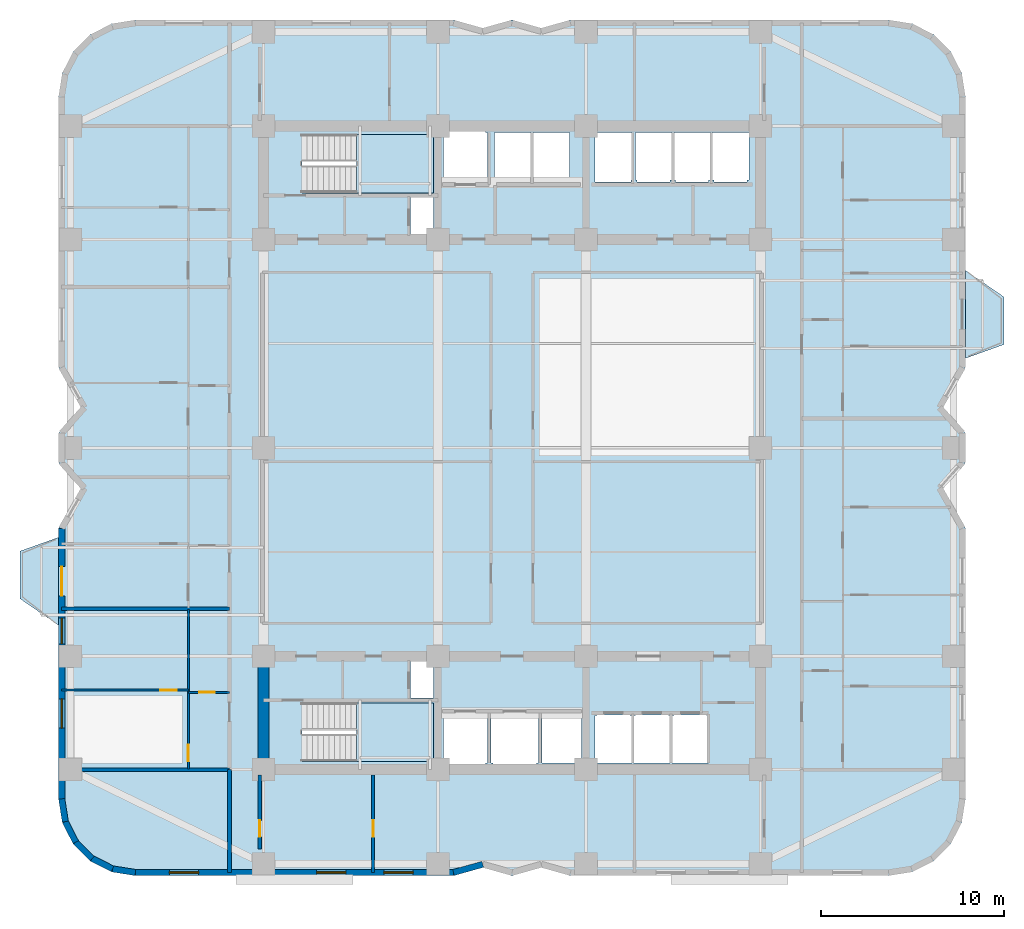
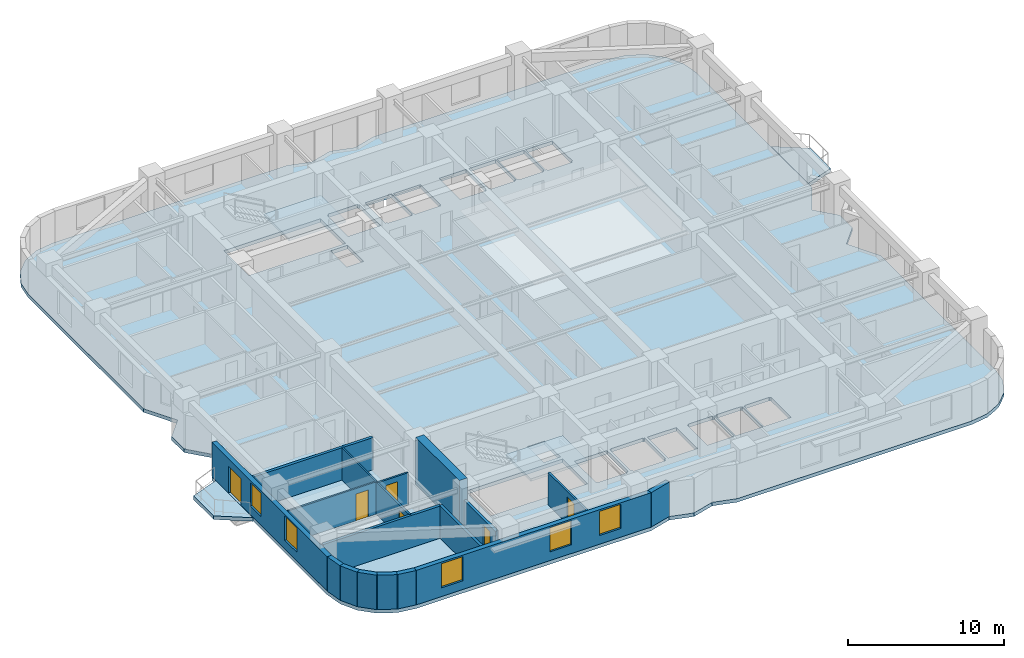
# One storey, part 2 of 9: 17 walls, 6 doors, 5 slabs, 5 windows, 11 openings, 2 elements without a shape of their own.
"""IFC4 building model written with IfcOpenShell, lengths in metres."""

from ifc_helpers import new_model, si_unit, direction, frame, frame_2d, origin, place, context, subcontext, project, spatial, polyline, rectangle, outline, extrude, material, layer, layer_set, type_object, element, fill, aggregate, save


model = new_model("IFC4")

# Units and contexts
model_context = context("Model", 3, precision=1e-05, world=origin(), true_north=direction((0.0, 1.0)))
body_context = subcontext(model_context, "Body", "Model", "MODEL_VIEW")
ifc_project = project(units=[si_unit("LENGTHUNIT", "METRE"), si_unit("AREAUNIT", "SQUARE_METRE"), si_unit("VOLUMEUNIT", "CUBIC_METRE"), si_unit("PLANEANGLEUNIT", "RADIAN"), si_unit("MASSUNIT", "GRAM", prefix="KILO")], contexts=[model_context])

# Site, building, storey
site_placement = place(None, origin())
site = spatial("IfcSite", under=ifc_project, at=site_placement, CompositionType="ELEMENT")
building_placement = place(site_placement, origin())
building = spatial("IfcBuilding", under=site, at=building_placement, Name="Svetorya Sky Lyceum", CompositionType="ELEMENT")
storey_placement = place(building_placement, frame((0.0, 0.0, 47.300048828125)))
storey = spatial("IfcBuildingStorey", under=building, at=storey_placement, Name="L11", CompositionType="ELEMENT", Elevation=47.300048828125)

# Slabs
ifc_material_1 = material(Name="Concrete C40/50", Category="concrete")
ifc_layer_1 = layer(ifc_material_1, 0.280029296875)
ifc_layer_set_1 = layer_set([ifc_layer_1], Name="Concrete C40/50")
slab_type_1 = type_object("IfcSlabType", Name="SL-BAL-280", PredefinedType="FLOOR", material=ifc_layer_set_1)
slab_1_placement = place(storey_placement, frame((0.0, 0.0, -0.280029296875)))
element("IfcSlab", 1, at=slab_1_placement, inside=storey, type_object=slab_type_1, Name="L11 Chamfered Loggia Balcony BAL-W1", PredefinedType="FLOOR", context=body_context, shape_type="SweptSolid", body=[
    extrude(outline(polyline([(14.389892578125, 18.5), (14.389892578125, 23.300048828125), (12.2900390625, 22.550048828125), (12.2900390625, 19.949951171875), (14.389892578125, 18.5)])), origin(), (0.0, 0.0, 1.0), 0.280029296875),
])
slab_2_placement = place(storey_placement, frame((0.0, 0.0, -0.280029296875)))
element("IfcSlab", 2, at=slab_2_placement, inside=storey, type_object=slab_type_1, Name="L11 Chamfered Loggia Balcony BAL-E1", PredefinedType="FLOOR", context=body_context, shape_type="SweptSolid", body=[
    extrude(outline(polyline([(64.010009765625, 33.10009765625), (66.110107421875, 33.85009765625), (66.110107421875, 36.449951171875), (64.010009765625, 37.89990234375), (64.010009765625, 33.10009765625)])), origin(), (0.0, 0.0, 1.0), 0.280029296875),
])

# Stair, slab
stair_type_1 = type_object("IfcStairType", Name="STR-ST-S", PredefinedType="HALF_TURN_STAIR", material=ifc_material_1)
stair_1_placement = place(storey_placement, origin())
stair_1 = element("IfcStair", 3, at=stair_1_placement, inside=storey, type_object=stair_type_1, Name="L11 South Core Smoke-Free Exit Stair N2", PredefinedType="HALF_TURN_STAIR")
ifc_layer_2 = layer(ifc_material_1, 0.199951171875)
ifc_layer_set_2 = layer_set([ifc_layer_2], Name="Concrete C40/50")
slab_type_2 = type_object("IfcSlabType", Name="SL-STR-LAND-200", PredefinedType="LANDING", material=ifc_layer_set_2)
slab_3_placement = place(storey_placement, frame((0.0, 0.0, 1.64990234375)))
slab_3 = element("IfcSlab", 4, at=slab_3_placement, type_object=slab_type_2, Name="ST-S landing 1", PredefinedType="LANDING", context=body_context, shape_type="SweptSolid", body=[
    extrude(outline(polyline([(30.699951171875, 11.050048828125), (34.89990234375, 11.050048828125), (34.89990234375, 14.25), (30.699951171875, 14.25), (30.699951171875, 11.050048828125)])), origin(), (0.0, 0.0, 1.0), 0.199951171875),
])
aggregate(stair_1, [slab_3])

stair_type_2 = type_object("IfcStairType", Name="STR-ST-N", PredefinedType="HALF_TURN_STAIR", material=ifc_material_1)
stair_2_placement = place(storey_placement, origin())
stair_2 = element("IfcStair", 5, at=stair_2_placement, inside=storey, type_object=stair_type_2, Name="L11 North Core Smoke-Free Exit Stair N3", PredefinedType="HALF_TURN_STAIR")
slab_4_placement = place(storey_placement, frame((0.0, 0.0, 1.64990234375)))
slab_4 = element("IfcSlab", 6, at=slab_4_placement, type_object=slab_type_2, Name="ST-N landing 1", PredefinedType="LANDING", context=body_context, shape_type="SweptSolid", body=[
    extrude(outline(polyline([(30.699951171875, 42.14990234375), (34.89990234375, 42.14990234375), (34.89990234375, 45.35009765625), (30.699951171875, 45.35009765625), (30.699951171875, 42.14990234375)])), origin(), (0.0, 0.0, 1.0), 0.199951171875),
])
aggregate(stair_2, [slab_4])

# Slab
ifc_material_2 = material(Name="Concrete C50/60", Category="concrete")
ifc_layer_3 = layer(ifc_material_2, 0.280029296875)
ifc_layer_set_3 = layer_set([ifc_layer_3], Name="Concrete C50/60")
slab_type_3 = type_object("IfcSlabType", Name="SL-TWR-280", PredefinedType="FLOOR", material=ifc_layer_set_3)
slab_5_placement = place(storey_placement, frame((0.0, 0.0, -0.280029296875)))
element("IfcSlab", 7, at=slab_5_placement, inside=storey, type_object=slab_type_3, Name="L11 Structural Floor Slab", PredefinedType="FLOOR", context=body_context, shape_type="SweptSolid", body=[
    extrude(outline(polyline([(14.39990234375, 9.0), (14.605712890625, 7.7021484375), (15.2021484375, 6.53125), (16.13134765625, 5.60205078125), (17.302001953125, 5.005615234375), (18.60009765625, 4.800048828125), (36.0, 4.800048828125), (37.60009765625, 5.25), (39.199951171875, 4.800048828125), (40.800048828125, 5.25), (42.39990234375, 4.800048828125), (59.800048828125, 4.800048828125), (61.097900390625, 5.005615234375), (62.268798828125, 5.60205078125), (63.197998046875, 6.53125), (63.79443359375, 7.7021484375), (64.0, 9.0), (64.0, 23.800048828125), (62.75, 26.0), (64.0, 27.39990234375), (64.0, 29.0), (62.75, 30.39990234375), (64.0, 32.60009765625), (64.0, 47.39990234375), (63.79443359375, 48.697998046875), (63.197998046875, 49.86865234375), (62.268798828125, 50.7978515625), (61.097900390625, 51.394287109375), (59.800048828125, 51.60009765625), (42.39990234375, 51.60009765625), (40.800048828125, 51.14990234375), (39.199951171875, 51.60009765625), (37.60009765625, 51.14990234375), (36.0, 51.60009765625), (18.60009765625, 51.60009765625), (17.302001953125, 51.394287109375), (16.13134765625, 50.7978515625), (15.2021484375, 49.86865234375), (14.605712890625, 48.697998046875), (14.39990234375, 47.39990234375), (14.39990234375, 32.60009765625), (15.64990234375, 30.39990234375), (14.39990234375, 29.0), (14.39990234375, 27.39990234375), (15.64990234375, 26.0), (14.39990234375, 23.800048828125), (14.39990234375, 9.0)]), holes=[polyline([(35.550048828125, 13.64990234375), (37.75, 13.64990234375), (37.85009765625, 13.64990234375), (37.85009765625, 10.949951171875), (37.75, 10.949951171875), (37.75, 10.85009765625), (35.550048828125, 10.85009765625), (35.550048828125, 10.949951171875), (35.449951171875, 10.949951171875), (35.449951171875, 13.64990234375), (35.550048828125, 13.64990234375)]), polyline([(40.64990234375, 10.949951171875), (40.550048828125, 10.949951171875), (40.550048828125, 10.800048828125), (38.14990234375, 10.800048828125), (38.14990234375, 10.949951171875), (38.050048828125, 10.949951171875), (38.050048828125, 13.64990234375), (38.14990234375, 13.64990234375), (38.14990234375, 13.699951171875), (40.550048828125, 13.699951171875), (40.550048828125, 13.64990234375), (40.64990234375, 13.64990234375), (40.64990234375, 10.949951171875)]), polyline([(40.85009765625, 13.64990234375), (43.0, 13.64990234375), (43.0, 10.949951171875), (40.85009765625, 10.949951171875), (40.85009765625, 13.64990234375)]), polyline([(27.719970703125, 14.25), (34.89990234375, 14.25), (34.89990234375, 11.050048828125), (27.719970703125, 11.050048828125), (27.719970703125, 14.25)]), polyline([(33.64990234375, 16.580078125), (34.89990234375, 16.580078125), (34.89990234375, 14.52001953125), (33.64990234375, 14.52001953125), (33.64990234375, 16.580078125)]), polyline([(33.64990234375, 39.820068359375), (33.64990234375, 41.89990234375), (34.89990234375, 41.89990234375), (34.89990234375, 39.820068359375), (33.64990234375, 39.820068359375)]), polyline([(27.719970703125, 45.35009765625), (34.89990234375, 45.35009765625), (34.89990234375, 42.14990234375), (27.719970703125, 42.14990234375), (27.719970703125, 45.35009765625)]), polyline([(35.550048828125, 42.75), (35.449951171875, 42.75), (35.449951171875, 45.449951171875), (35.550048828125, 45.449951171875), (35.550048828125, 45.550048828125), (37.75, 45.550048828125), (37.75, 45.449951171875), (37.85009765625, 45.449951171875), (37.85009765625, 42.75), (37.75, 42.75), (35.550048828125, 42.75)]), polyline([(40.199951171875, 42.85009765625), (40.199951171875, 42.75), (38.39990234375, 42.75), (38.39990234375, 42.85009765625), (38.25, 42.85009765625), (38.25, 45.449951171875), (38.39990234375, 45.449951171875), (40.199951171875, 45.449951171875), (40.25, 45.449951171875), (40.25, 42.85009765625), (40.199951171875, 42.85009765625)]), polyline([(40.39990234375, 42.85009765625), (40.35009765625, 42.85009765625), (40.35009765625, 45.449951171875), (40.39990234375, 45.449951171875), (42.300048828125, 45.449951171875), (42.35009765625, 45.449951171875), (42.35009765625, 42.85009765625), (42.300048828125, 42.85009765625), (42.300048828125, 42.75), (40.39990234375, 42.75), (40.39990234375, 42.85009765625)]), polyline([(43.85009765625, 10.949951171875), (43.75, 10.949951171875), (43.75, 13.550048828125), (43.85009765625, 13.550048828125), (43.85009765625, 13.60009765625), (45.64990234375, 13.60009765625), (45.64990234375, 13.550048828125), (45.75, 13.550048828125), (45.75, 10.949951171875), (45.64990234375, 10.949951171875), (43.85009765625, 10.949951171875)]), polyline([(45.949951171875, 10.949951171875), (45.85009765625, 10.949951171875), (45.85009765625, 13.550048828125), (45.949951171875, 13.550048828125), (45.949951171875, 13.60009765625), (47.75, 13.60009765625), (47.75, 13.550048828125), (47.85009765625, 13.550048828125), (47.85009765625, 10.949951171875), (47.75, 10.949951171875), (45.949951171875, 10.949951171875)]), polyline([(49.85009765625, 13.550048828125), (49.949951171875, 13.550048828125), (49.949951171875, 10.949951171875), (49.85009765625, 10.949951171875), (48.050048828125, 10.949951171875), (47.949951171875, 10.949951171875), (47.949951171875, 13.550048828125), (48.050048828125, 13.550048828125), (48.050048828125, 13.60009765625), (49.85009765625, 13.60009765625), (49.85009765625, 13.550048828125)]), polyline([(43.75, 42.85009765625), (43.75, 45.449951171875), (45.699951171875, 45.449951171875), (45.75, 45.449951171875), (45.75, 42.85009765625), (45.699951171875, 42.85009765625), (45.699951171875, 42.75), (43.75, 42.75), (43.75, 42.85009765625)]), polyline([(46.050048828125, 42.85009765625), (45.949951171875, 42.85009765625), (45.949951171875, 45.449951171875), (46.050048828125, 45.449951171875), (47.85009765625, 45.449951171875), (47.949951171875, 45.449951171875), (47.949951171875, 42.85009765625), (47.85009765625, 42.85009765625), (47.85009765625, 42.75), (46.050048828125, 42.75), (46.050048828125, 42.85009765625)]), polyline([(48.14990234375, 42.85009765625), (48.050048828125, 42.85009765625), (48.050048828125, 45.449951171875), (48.14990234375, 45.449951171875), (49.949951171875, 45.449951171875), (50.050048828125, 45.449951171875), (50.050048828125, 42.85009765625), (49.949951171875, 42.85009765625), (49.949951171875, 42.75), (48.14990234375, 42.75), (48.14990234375, 42.85009765625)]), polyline([(50.25, 42.85009765625), (50.14990234375, 42.85009765625), (50.14990234375, 45.449951171875), (50.25, 45.449951171875), (52.050048828125, 45.449951171875), (52.14990234375, 45.449951171875), (52.14990234375, 42.85009765625), (52.050048828125, 42.85009765625), (52.050048828125, 42.75), (50.25, 42.75), (50.25, 42.85009765625)])]), origin(), (0.0, 0.0, 1.0), 0.280029296875),
])

# Walls
ifc_material_3 = material(Name="Concrete C60/75", Category="concrete")
ifc_layer_4 = layer(ifc_material_3, 0.60009765625)
ifc_layer_set_4 = layer_set([ifc_layer_4], Name="Concrete C60/75")
wall_type_1 = type_object("IfcWallType", Name="WL-CORE-600", PredefinedType="SHEAR", material=ifc_layer_set_4)
wall_1_placement = place(storey_placement, frame((25.60009765625, 10.89990234375, 0.0), z_axis=(0.0, 0.0, 1.0), x_axis=(0.0, 1.0, 0.0)))
element("IfcWall", 8, at=wall_1_placement, inside=storey, type_object=wall_type_1, Name="L11 SC West Core Shear Wall", PredefinedType="SHEAR", context=body_context, shape_type="SweptSolid", body=[
    extrude(rectangle(XDim=5.60009765625, YDim=0.60009765625, at=frame_2d((2.800048828125, 0.0))), origin(), (0.0, 0.0, 1.0), 3.699951171875),
])
ifc_material_4 = material(Name="Putilovo limestone rainscreen on autoclaved cellular masonry", Category="masonry")
ifc_layer_5 = layer(ifc_material_4, 0.340087890625)
ifc_layer_set_5 = layer_set([ifc_layer_5], Name="Putilovo limestone rainscreen on autoclaved cellular masonry")
wall_type_2 = type_object("IfcWallType", Name="WL-EXT-340", PredefinedType="SOLIDWALL", material=ifc_layer_set_5)
wall_2_placement = place(storey_placement, frame((14.570068359375, 9.0, 0.0), z_axis=(0.0, 0.0, 1.0), x_axis=(0.156260864002, -0.98771582066, 0.0)))
element("IfcWall", 9, at=wall_2_placement, inside=storey, type_object=wall_type_2, Name="L11 Limestone Exterior Wall 1M", PredefinedType="SOLIDWALL", context=body_context, shape_type="SweptSolid", body=[
    extrude(rectangle(XDim=1.2607421875, YDim=0.340087890625, at=frame_2d((0.63037109375, 0.0))), origin(), (0.0, 0.0, 1.0), 2.699951171875),
])
wall_3_placement = place(storey_placement, frame((14.76708984375, 7.754638671875, 0.0), z_axis=(0.0, 0.0, 1.0), x_axis=(0.454015689056, -0.890993689142, 0.0)))
element("IfcWall", 10, at=wall_3_placement, inside=storey, type_object=wall_type_2, Name="L11 Limestone Exterior Wall 2M", PredefinedType="SOLIDWALL", context=body_context, shape_type="SweptSolid", body=[
    extrude(rectangle(XDim=1.260986328125, YDim=0.340087890625, at=frame_2d((0.63037109375, 0.0))), origin(), (0.0, 0.0, 1.0), 2.699951171875),
])
wall_4_placement = place(storey_placement, frame((15.339599609375, 6.631103515625, 0.0), z_axis=(0.0, 0.0, 1.0), x_axis=(0.707203598708, -0.707009950407, 0.0)))
element("IfcWall", 11, at=wall_4_placement, inside=storey, type_object=wall_type_2, Name="L11 Limestone Exterior Wall 3M", PredefinedType="SOLIDWALL", context=body_context, shape_type="SweptSolid", body=[
    extrude(rectangle(XDim=1.2607421875, YDim=0.340087890625, at=frame_2d((0.63037109375, 0.0))), origin(), (0.0, 0.0, 1.0), 2.699951171875),
])
for number, where, z_axis, x_axis, name in (
    (12, (16.231201171875, 5.73974609375, 0.0), (0.0, 0.0, 1.0), (0.890993689142, -0.454015689056, 0.0), "L11 Limestone Exterior Wall 4M"),
    (13, (17.354736328125, 5.167236328125, 0.0), (0.0, 0.0, 1.0), (0.987685918112, -0.15644975923, 0.0), "L11 Limestone Exterior Wall 5M"),
):
    element("IfcWall", number, at=place(storey_placement, frame(where, z_axis=z_axis, x_axis=x_axis)), inside=storey, type_object=wall_type_2, Name=name, PredefinedType="SOLIDWALL", context=body_context, shape_type="SweptSolid", body=[
        extrude(rectangle(XDim=1.260986328125, YDim=0.340087890625, at=frame_2d((0.63037109375, 0.0))), origin(), (0.0, 0.0, 1.0), 2.699951171875),
    ])

# Wall, openings, windows
wall_5_placement = place(storey_placement, frame((18.60009765625, 4.969970703125, 0.0), z_axis=(0.0, 0.0, 1.0), x_axis=(1.0, 0.0, 0.0)))
wall_5 = element("IfcWall", 14, at=wall_5_placement, inside=storey, type_object=wall_type_2, Name="L11 Limestone Exterior Wall 6M", PredefinedType="SOLIDWALL", context=body_context, shape_type="SweptSolid", body=[
    extrude(rectangle(XDim=17.39990234375, YDim=0.340087890625, at=frame_2d((8.699951171875, 0.0))), origin(), (0.0, 0.0, 1.0), 2.699951171875),
])
opening_1_placement = place(wall_5_placement, frame((1.862548828125, 0.0, 0.679931640625)))
opening_1 = element("IfcOpeningElement", 15, at=opening_1_placement, cuts=wall_5, Name="Opening W-R4", PredefinedType="OPENING", context=body_context, shape_type="SweptSolid", body=[
    extrude(rectangle(XDim=1.60009765625, YDim=1.89990234375, at=frame_2d((0.800048828125, 0.949951171875))), frame((0.0, 0.179931640625, 0.0), z_axis=(0.0, -1.0, 0.0), x_axis=(1.0, 0.0, 0.0)), (0.0, 0.0, 1.0), 0.360107421875),
])
opening_2_placement = place(wall_5_placement, frame((9.91259765625, 0.0, 0.679931640625)))
opening_2 = element("IfcOpeningElement", 16, at=opening_2_placement, cuts=wall_5, Name="Opening W-R4", PredefinedType="OPENING", context=body_context, shape_type="SweptSolid", body=[
    extrude(rectangle(XDim=1.60009765625, YDim=1.89990234375, at=frame_2d((0.800048828125, 0.949951171875))), frame((0.0, 0.179931640625, 0.0), z_axis=(0.0, -1.0, 0.0), x_axis=(1.0, 0.0, 0.0)), (0.0, 0.0, 1.0), 0.360107421875),
])
opening_3_placement = place(wall_5_placement, frame((13.58740234375, 0.0, 0.679931640625)))
opening_3 = element("IfcOpeningElement", 17, at=opening_3_placement, cuts=wall_5, Name="Opening W-R4", PredefinedType="OPENING", context=body_context, shape_type="SweptSolid", body=[
    extrude(rectangle(XDim=1.60009765625, YDim=1.89990234375, at=frame_2d((0.800048828125, 0.949951171875))), frame((0.0, 0.179931640625, 0.0), z_axis=(0.0, -1.0, 0.0), x_axis=(1.0, 0.0, 0.0)), (0.0, 0.0, 1.0), 0.360107421875),
])
ifc_material_5 = material(Name="Thermally broken aluminium frame with triple low-E glazing", Category="aluminium")
window_type_1 = type_object("IfcWindowType", Name="WN-RES-160", PartitioningType="DOUBLE_PANEL_VERTICAL", PredefinedType="WINDOW", material=ifc_material_5)
window_1_placement = place(opening_1_placement, origin())
window_1 = element("IfcWindow", 18, at=window_1_placement, inside=storey, type_object=window_type_1, Name="L11 Facade Window W-R4.6M.1", OverallHeight=1.89990234375, OverallWidth=1.60009765625, PartitioningType="SINGLE_PANEL", PredefinedType="WINDOW", context=body_context, shape_type="SweptSolid", body=[
    extrude(rectangle(XDim=1.60009765625, YDim=1.89990234375, at=frame_2d((0.800048828125, 0.949951171875))), frame((0.0, 0.030029296875, 0.0), z_axis=(0.0, -1.0, 0.0), x_axis=(1.0, 0.0, 0.0)), (0.0, 0.0, 1.0), 0.06005859375),
])
fill(opening_1, window_1)
window_2_placement = place(opening_2_placement, origin())
window_2 = element("IfcWindow", 19, at=window_2_placement, inside=storey, type_object=window_type_1, Name="L11 Facade Window W-R4.6M.2", OverallHeight=1.89990234375, OverallWidth=1.60009765625, PartitioningType="SINGLE_PANEL", PredefinedType="WINDOW", context=body_context, shape_type="SweptSolid", body=[
    extrude(rectangle(XDim=1.60009765625, YDim=1.89990234375, at=frame_2d((0.800048828125, 0.949951171875))), frame((0.0, 0.030029296875, 0.0), z_axis=(0.0, -1.0, 0.0), x_axis=(1.0, 0.0, 0.0)), (0.0, 0.0, 1.0), 0.06005859375),
])
fill(opening_2, window_2)
window_3_placement = place(opening_3_placement, origin())
window_3 = element("IfcWindow", 20, at=window_3_placement, inside=storey, type_object=window_type_1, Name="L11 Facade Window W-R4.6M.3", OverallHeight=1.89990234375, OverallWidth=1.60009765625, PartitioningType="SINGLE_PANEL", PredefinedType="WINDOW", context=body_context, shape_type="SweptSolid", body=[
    extrude(rectangle(XDim=1.60009765625, YDim=1.89990234375, at=frame_2d((0.800048828125, 0.949951171875))), frame((0.0, 0.030029296875, 0.0), z_axis=(0.0, -1.0, 0.0), x_axis=(1.0, 0.0, 0.0)), (0.0, 0.0, 1.0), 0.06005859375),
])
fill(opening_3, window_3)

# Wall
wall_6_placement = place(storey_placement, frame((36.0, 4.969970703125, 0.0), z_axis=(0.0, 0.0, 1.0), x_axis=(0.962662902433, 0.270703040766, 0.0)))
element("IfcWall", 21, at=wall_6_placement, inside=storey, type_object=wall_type_2, Name="L11 Limestone Exterior Wall 7M", PredefinedType="SOLIDWALL", context=body_context, shape_type="SweptSolid", body=[
    extrude(rectangle(XDim=1.662109375, YDim=0.340087890625, at=frame_2d((0.8310546875, 0.0))), origin(), (0.0, 0.0, 1.0), 2.699951171875),
])

# Wall, openings, door, windows
wall_7_placement = place(storey_placement, frame((14.570068359375, 23.800048828125, 0.0), z_axis=(0.0, 0.0, 1.0), x_axis=(0.0, -1.0, 0.0)))
wall_7 = element("IfcWall", 22, at=wall_7_placement, inside=storey, type_object=wall_type_2, Name="L11 Limestone Exterior Wall 46M", PredefinedType="SOLIDWALL", context=body_context, shape_type="SweptSolid", body=[
    extrude(rectangle(XDim=14.800048828125, YDim=0.340087890625, at=frame_2d((7.39990234375, 0.0))), origin(), (0.0, 0.0, 1.0), 2.699951171875),
])
opening_4_placement = place(wall_7_placement, frame((2.10009765625, 0.0, 0.0)))
opening_4 = element("IfcOpeningElement", 23, at=opening_4_placement, cuts=wall_7, Name="Opening D-BL1", PredefinedType="OPENING", context=body_context, shape_type="SweptSolid", body=[
    extrude(rectangle(XDim=1.60009765625, YDim=2.10009765625, at=frame_2d((0.800048828125, 1.050048828125))), frame((0.0, 0.179931640625, 0.0), z_axis=(0.0, -1.0, 0.0), x_axis=(1.0, 0.0, 0.0)), (0.0, 0.0, 1.0), 0.360107421875),
])
opening_5_placement = place(wall_7_placement, frame((4.919921875, 0.0, 0.68994140625)))
opening_5 = element("IfcOpeningElement", 24, at=opening_5_placement, cuts=wall_7, Name="Opening W-R2", PredefinedType="OPENING", context=body_context, shape_type="SweptSolid", body=[
    extrude(rectangle(XDim=1.39990234375, YDim=1.85009765625, at=frame_2d((0.699951171875, 0.925048828125))), frame((0.0, 0.179931640625, 0.0), z_axis=(0.0, -1.0, 0.0), x_axis=(1.0, 0.0, 0.0)), (0.0, 0.0, 1.0), 0.360107421875),
])
opening_6_placement = place(wall_7_placement, frame((9.33740234375, 0.0, 0.679931640625)))
opening_6 = element("IfcOpeningElement", 25, at=opening_6_placement, cuts=wall_7, Name="Opening W-R4", PredefinedType="OPENING", context=body_context, shape_type="SweptSolid", body=[
    extrude(rectangle(XDim=1.60009765625, YDim=1.89990234375, at=frame_2d((0.800048828125, 0.949951171875))), frame((0.0, 0.179931640625, 0.0), z_axis=(0.0, -1.0, 0.0), x_axis=(1.0, 0.0, 0.0)), (0.0, 0.0, 1.0), 0.360107421875),
])
ifc_material_6 = material(Name="Insulated glazed aluminium balcony door", Category="aluminium")
door_type_1 = type_object("IfcDoorType", Name="DR-BAL-1600", OperationType="DOUBLE_DOOR_SINGLE_SWING", PredefinedType="DOOR", material=ifc_material_6)
door_1_placement = place(opening_4_placement, origin())
door_1 = element("IfcDoor", 26, at=door_1_placement, inside=storey, type_object=door_type_1, Name="L11 Balcony BAL-W1 Door", OperationType="DOUBLE_DOOR_SINGLE_SWING", OverallHeight=2.10009765625, OverallWidth=1.60009765625, PredefinedType="DOOR", context=body_context, shape_type="SweptSolid", body=[
    extrude(rectangle(XDim=1.60009765625, YDim=2.10009765625, at=frame_2d((0.800048828125, 1.050048828125))), frame((0.0, 0.02490234375, 0.0), z_axis=(0.0, -1.0, 0.0), x_axis=(1.0, 0.0, 0.0)), (0.0, 0.0, 1.0), 0.050048828125),
])
fill(opening_4, door_1)
window_type_2 = type_object("IfcWindowType", Name="WN-RES-140", PartitioningType="SINGLE_PANEL", PredefinedType="WINDOW", material=ifc_material_5)
window_4_placement = place(opening_5_placement, origin())
window_4 = element("IfcWindow", 27, at=window_4_placement, inside=storey, type_object=window_type_2, Name="L11 Facade Window W-R2.46M.2", OverallHeight=1.85009765625, OverallWidth=1.39990234375, PartitioningType="SINGLE_PANEL", PredefinedType="WINDOW", context=body_context, shape_type="SweptSolid", body=[
    extrude(rectangle(XDim=1.39990234375, YDim=1.85009765625, at=frame_2d((0.699951171875, 0.925048828125))), frame((0.0, 0.030029296875, 0.0), z_axis=(0.0, -1.0, 0.0), x_axis=(1.0, 0.0, 0.0)), (0.0, 0.0, 1.0), 0.06005859375),
])
fill(opening_5, window_4)
window_5_placement = place(opening_6_placement, origin())
window_5 = element("IfcWindow", 28, at=window_5_placement, inside=storey, type_object=window_type_1, Name="L11 Facade Window W-R4.46M.1", OverallHeight=1.89990234375, OverallWidth=1.60009765625, PartitioningType="SINGLE_PANEL", PredefinedType="WINDOW", context=body_context, shape_type="SweptSolid", body=[
    extrude(rectangle(XDim=1.60009765625, YDim=1.89990234375, at=frame_2d((0.800048828125, 0.949951171875))), frame((0.0, 0.030029296875, 0.0), z_axis=(0.0, -1.0, 0.0), x_axis=(1.0, 0.0, 0.0)), (0.0, 0.0, 1.0), 0.06005859375),
])
fill(opening_6, window_5)

# Wall, opening, door
ifc_material_7 = material(Name="Twin-stud galvanized framing with double fireboard", Category="gypsum")
ifc_layer_6 = layer(ifc_material_7, 0.1201171875)
ifc_layer_set_6 = layer_set([ifc_layer_6], Name="Twin-stud galvanized framing with double fireboard")
wall_type_3 = type_object("IfcWallType", Name="WL-PART-120", PredefinedType="PARTITIONING", material=ifc_layer_set_6)
wall_8_placement = place(storey_placement, frame((21.5, 14.820068359375, 0.0), z_axis=(0.0, 0.0, 1.0), x_axis=(1.0, 0.0, 0.0)))
wall_8 = element("IfcWall", 29, at=wall_8_placement, inside=storey, type_object=wall_type_3, Name="L11 Interior Partition W1-WH1", PredefinedType="PARTITIONING", context=body_context, shape_type="SweptSolid", body=[
    extrude(rectangle(XDim=2.25, YDim=0.1201171875, at=frame_2d((1.125, 0.0))), origin(), (0.0, 0.0, 1.0), 2.530029296875),
])
opening_7_placement = place(wall_8_placement, frame((0.60009765625, 0.0, 0.0)))
opening_7 = element("IfcOpeningElement", 30, at=opening_7_placement, cuts=wall_8, Name="Opening D-BT1", PredefinedType="OPENING", context=body_context, shape_type="SweptSolid", body=[
    extrude(rectangle(XDim=0.85009765625, YDim=2.10009765625, at=frame_2d((0.425048828125, 1.050048828125))), frame((0.0, 0.070068359375, 0.0), z_axis=(0.0, -1.0, 0.0), x_axis=(1.0, 0.0, 0.0)), (0.0, 0.0, 1.0), 0.14013671875),
])
ifc_material_8 = material(Name="Moisture-resistant laminate bathroom door")
door_type_2 = type_object("IfcDoorType", Name="DR-WET-850", OperationType="SINGLE_SWING_LEFT", PredefinedType="DOOR", material=ifc_material_8)
door_2_placement = place(opening_7_placement, origin())
door_2 = element("IfcDoor", 31, at=door_2_placement, inside=storey, type_object=door_type_2, Name="Apartment W1 Bathroom Door", OperationType="SINGLE_SWING_LEFT", OverallHeight=2.10009765625, OverallWidth=0.85009765625, PredefinedType="DOOR", context=body_context, shape_type="SweptSolid", body=[
    extrude(rectangle(XDim=0.85009765625, YDim=2.10009765625, at=frame_2d((0.425048828125, 1.050048828125))), frame((0.0, 0.02490234375, 0.0), z_axis=(0.0, -1.0, 0.0), x_axis=(1.0, 0.0, 0.0)), (0.0, 0.0, 1.0), 0.050048828125),
])
fill(opening_7, door_2)

wall_9_placement = place(storey_placement, frame((14.570068359375, 14.949951171875, 0.0), z_axis=(0.0, 0.0, 1.0), x_axis=(1.0, 0.0, 0.0)))
wall_9 = element("IfcWall", 32, at=wall_9_placement, inside=storey, type_object=wall_type_3, Name="L11 Interior Partition W1-WL1", PredefinedType="PARTITIONING", context=body_context, shape_type="SweptSolid", body=[
    extrude(rectangle(XDim=6.929931640625, YDim=0.1201171875, at=frame_2d((3.46484375, 0.0))), origin(), (0.0, 0.0, 1.0), 2.530029296875),
])
opening_8_placement = place(wall_9_placement, frame((5.3798828125, 0.0, 0.0)))
opening_8 = element("IfcOpeningElement", 33, at=opening_8_placement, cuts=wall_9, Name="Opening D-RM1", PredefinedType="OPENING", context=body_context, shape_type="SweptSolid", body=[
    extrude(rectangle(XDim=0.89990234375, YDim=2.10009765625, at=frame_2d((0.449951171875, 1.050048828125))), frame((0.0, 0.070068359375, 0.0), z_axis=(0.0, -1.0, 0.0), x_axis=(1.0, 0.0, 0.0)), (0.0, 0.0, 1.0), 0.14013671875),
])
ifc_material_9 = material(Name="Lacquered birch veneer internal door")
door_type_3 = type_object("IfcDoorType", Name="DR-INT-900", OperationType="SINGLE_SWING_LEFT", PredefinedType="DOOR", material=ifc_material_9)
door_3_placement = place(opening_8_placement, origin())
door_3 = element("IfcDoor", 34, at=door_3_placement, inside=storey, type_object=door_type_3, Name="Apartment W1 Bedroom 1 Door", OperationType="SINGLE_SWING_LEFT", OverallHeight=2.10009765625, OverallWidth=0.89990234375, PredefinedType="DOOR", context=body_context, shape_type="SweptSolid", body=[
    extrude(rectangle(XDim=0.89990234375, YDim=2.10009765625, at=frame_2d((0.449951171875, 1.050048828125))), frame((0.0, 0.02490234375, 0.0), z_axis=(0.0, -1.0, 0.0), x_axis=(1.0, 0.0, 0.0)), (0.0, 0.0, 1.0), 0.050048828125),
])
fill(opening_8, door_3)

wall_10_placement = place(storey_placement, frame((21.5, 10.639892578125, 0.0), z_axis=(0.0, 0.0, 1.0), x_axis=(0.0, 1.0, 0.0)))
wall_10 = element("IfcWall", 35, at=wall_10_placement, inside=storey, type_object=wall_type_3, Name="L11 Interior Partition W1-WV", PredefinedType="PARTITIONING", context=body_context, shape_type="SweptSolid", body=[
    extrude(rectangle(XDim=8.72021484375, YDim=0.1201171875, at=frame_2d((4.360107421875, 0.0))), origin(), (0.0, 0.0, 1.0), 2.530029296875),
])
opening_9_placement = place(wall_10_placement, frame((0.409912109375, 0.0, 0.0)))
opening_9 = element("IfcOpeningElement", 36, at=opening_9_placement, cuts=wall_10, Name="Opening D-RM1", PredefinedType="OPENING", context=body_context, shape_type="SweptSolid", body=[
    extrude(rectangle(XDim=0.89990234375, YDim=2.10009765625, at=frame_2d((0.449951171875, 1.050048828125))), frame((0.0, 0.070068359375, 0.0), z_axis=(0.0, -1.0, 0.0), x_axis=(1.0, 0.0, 0.0)), (0.0, 0.0, 1.0), 0.14013671875),
])
door_4_placement = place(opening_9_placement, origin())
door_4 = element("IfcDoor", 37, at=door_4_placement, inside=storey, type_object=door_type_3, Name="Apartment W1 Living Door", OperationType="SINGLE_SWING_RIGHT", OverallHeight=2.10009765625, OverallWidth=0.89990234375, PredefinedType="DOOR", context=body_context, shape_type="SweptSolid", body=[
    extrude(rectangle(XDim=0.89990234375, YDim=2.10009765625, at=frame_2d((0.449951171875, 1.050048828125))), frame((0.0, 0.02490234375, 0.0), z_axis=(0.0, -1.0, 0.0), x_axis=(1.0, 0.0, 0.0)), (0.0, 0.0, 1.0), 0.050048828125),
])
fill(opening_9, door_4)

ifc_material_10 = material(Name="Autoclaved cellular masonry blockwork with acoustic render", Category="masonry")
ifc_layer_7 = layer(ifc_material_10, 0.14990234375)
ifc_layer_set_7 = layer_set([ifc_layer_7], Name="Autoclaved cellular masonry blockwork with acoustic render")
wall_type_4 = type_object("IfcWallType", Name="WL-PART-150", PredefinedType="PARTITIONING", material=ifc_layer_set_7)
wall_11_placement = place(storey_placement, frame((31.60009765625, 4.969970703125, 0.0), z_axis=(0.0, 0.0, 1.0), x_axis=(0.0, 1.0, 0.0)))
wall_11 = element("IfcWall", 38, at=wall_11_placement, inside=storey, type_object=wall_type_4, Name="L11 Interior Partition S-D1", PredefinedType="PARTITIONING", context=body_context, shape_type="SweptSolid", body=[
    extrude(rectangle(XDim=5.330078125, YDim=0.14990234375, at=frame_2d((2.6650390625, 0.0))), origin(), (0.0, 0.0, 1.0), 2.530029296875),
])
opening_10_placement = place(wall_11_placement, frame((1.949951171875, 0.0, 0.0)))
opening_10 = element("IfcOpeningElement", 39, at=opening_10_placement, cuts=wall_11, Name="Opening D-RM1", PredefinedType="OPENING", context=body_context, shape_type="SweptSolid", body=[
    extrude(rectangle(XDim=0.89990234375, YDim=2.10009765625, at=frame_2d((0.449951171875, 1.050048828125))), frame((0.0, 0.0849609375, 0.0), z_axis=(0.0, -1.0, 0.0), x_axis=(1.0, 0.0, 0.0)), (0.0, 0.0, 1.0), 0.169921875),
])
door_5_placement = place(opening_10_placement, origin())
door_5 = element("IfcDoor", 40, at=door_5_placement, inside=storey, type_object=door_type_3, Name="L11 South Store Door", OperationType="SINGLE_SWING_LEFT", OverallHeight=2.10009765625, OverallWidth=0.89990234375, PredefinedType="DOOR", context=body_context, shape_type="SweptSolid", body=[
    extrude(rectangle(XDim=0.89990234375, YDim=2.10009765625, at=frame_2d((0.449951171875, 1.050048828125))), frame((0.0, 0.02490234375, 0.0), z_axis=(0.0, -1.0, 0.0), x_axis=(1.0, 0.0, 0.0)), (0.0, 0.0, 1.0), 0.050048828125),
])
fill(opening_10, door_5)

# Walls
ifc_material_11 = material(Name="Autoclaved cellular masonry blockwork with gypsum plaster", Category="masonry")
ifc_layer_8 = layer(ifc_material_11, 0.199951171875)
ifc_layer_set_8 = layer_set([ifc_layer_8], Name="Autoclaved cellular masonry blockwork with gypsum plaster")
wall_type_5 = type_object("IfcWallType", Name="WL-PART-200", PredefinedType="PARTITIONING", material=ifc_layer_set_8)
wall_12_placement = place(storey_placement, frame((14.570068359375, 19.39990234375, 0.0), z_axis=(0.0, 0.0, 1.0), x_axis=(1.0, 0.0, 0.0)))
element("IfcWall", 41, at=wall_12_placement, inside=storey, type_object=wall_type_5, Name="L11 Interior Partition W-PARTY-1", PredefinedType="PARTITIONING", context=body_context, shape_type="SweptSolid", body=[
    extrude(rectangle(XDim=9.179931640625, YDim=0.199951171875, at=frame_2d((4.58984375, 0.0))), origin(), (0.0, 0.0, 1.0), 2.530029296875),
])
wall_13_placement = place(storey_placement, frame((14.989990234375, 10.60009765625, 0.0), z_axis=(0.0, 0.0, 1.0), x_axis=(1.0, 0.0, 0.0)))
element("IfcWall", 42, at=wall_13_placement, inside=storey, type_object=wall_type_5, Name="L11 Interior Partition W-CAP-S", PredefinedType="PARTITIONING", context=body_context, shape_type="SweptSolid", body=[
    extrude(rectangle(XDim=8.760009765625, YDim=0.199951171875, at=frame_2d((4.3798828125, 0.0))), origin(), (0.0, 0.0, 1.0), 2.530029296875),
])
wall_14_placement = place(storey_placement, frame((23.75, 4.969970703125, 0.0), z_axis=(0.0, 0.0, 1.0), x_axis=(0.0, 1.0, 0.0)))
element("IfcWall", 43, at=wall_14_placement, inside=storey, type_object=wall_type_5, Name="L11 Interior Partition WC-SW-END", PredefinedType="PARTITIONING", context=body_context, shape_type="SweptSolid", body=[
    extrude(rectangle(XDim=5.630126953125, YDim=0.199951171875, at=frame_2d((2.81494140625, 0.0))), origin(), (0.0, 0.0, 1.0), 2.530029296875),
])

# Wall, opening, door
wall_15_placement = place(storey_placement, frame((25.39990234375, 6.27001953125, 0.0), z_axis=(0.0, 0.0, 1.0), x_axis=(0.0, 1.0, 0.0)))
wall_15 = element("IfcWall", 44, at=wall_15_placement, inside=storey, type_object=wall_type_5, Name="L11 Interior Partition S-EW", PredefinedType="PARTITIONING", context=body_context, shape_type="SweptSolid", body=[
    extrude(rectangle(XDim=4.030029296875, YDim=0.199951171875, at=frame_2d((2.01513671875, 0.0))), origin(), (0.0, 0.0, 1.0), 2.530029296875),
])
opening_11_placement = place(wall_15_placement, frame((0.64990234375, 0.0, 0.0)))
opening_11 = element("IfcOpeningElement", 45, at=opening_11_placement, cuts=wall_15, Name="Opening D-RM1", PredefinedType="OPENING", context=body_context, shape_type="SweptSolid", body=[
    extrude(rectangle(XDim=0.89990234375, YDim=2.10009765625, at=frame_2d((0.449951171875, 1.050048828125))), frame((0.0, 0.10986328125, 0.0), z_axis=(0.0, -1.0, 0.0), x_axis=(1.0, 0.0, 0.0)), (0.0, 0.0, 1.0), 0.219970703125),
])
door_6_placement = place(opening_11_placement, origin())
door_6 = element("IfcDoor", 46, at=door_6_placement, inside=storey, type_object=door_type_3, Name="L11 South Study Door", OperationType="SINGLE_SWING_LEFT", OverallHeight=2.10009765625, OverallWidth=0.89990234375, PredefinedType="DOOR", context=body_context, shape_type="SweptSolid", body=[
    extrude(rectangle(XDim=0.89990234375, YDim=2.10009765625, at=frame_2d((0.449951171875, 1.050048828125))), frame((0.0, 0.02490234375, 0.0), z_axis=(0.0, -1.0, 0.0), x_axis=(1.0, 0.0, 0.0)), (0.0, 0.0, 1.0), 0.050048828125),
])
fill(opening_11, door_6)

save(model, "model.ifc")
